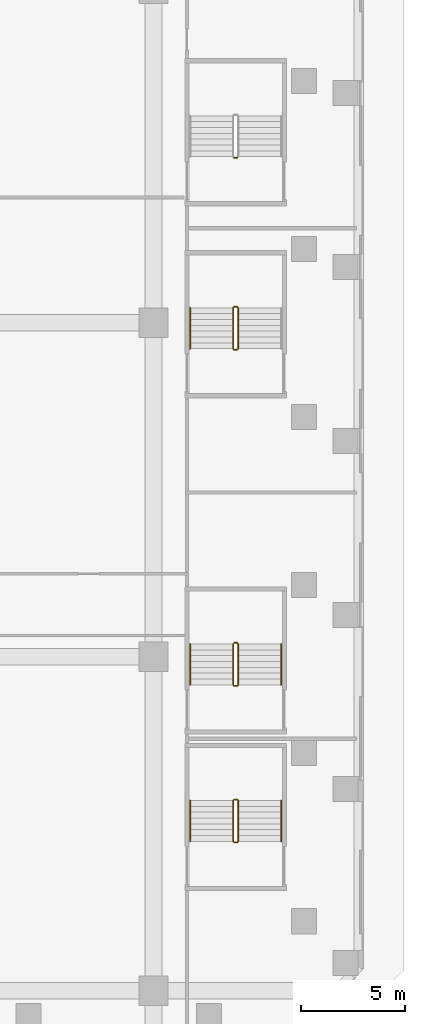
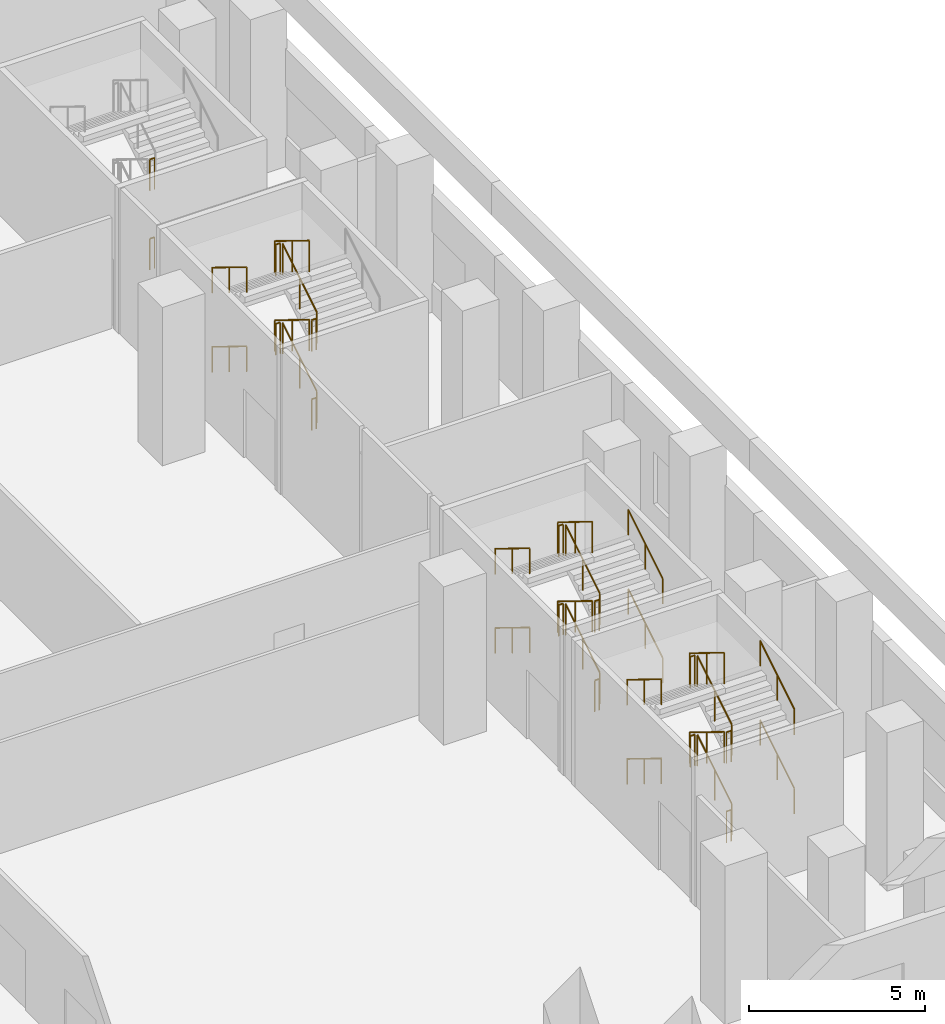
# One storey, part 21 of 22: 36 railings.
"""IFC4 building model written with IfcOpenShell, lengths in metres."""

import ifcopenshell
import ifcopenshell.guid

model = None  # the IFC model being written
_history = None  # IfcOwnerHistory: only IFC2X3 demands one
_inside = {}  # id of a spatial element -> (the spatial element, [elements in it])
_under = {}  # id of a project, library or spatial element -> (it, [spatial elements below it])
_declared = {}  # id of a project -> (the project, [libraries it declares])
_typed = {}  # id of a type object -> (the type object, [elements of that type])
_made_of = {}  # id of a material, layer set ... -> (it, [elements and type objects made of it])


def new_model(schema):
    """Start an empty IFC model of exactly this schema.

    Asked for "IFC4X3", IfcOpenShell would pick the latest addendum, in which some entities
    have other attributes; the version numbers below select the first issue.
    IFC2X3 requires an IfcOwnerHistory on every rooted entity: one is made here for all.
    """
    global model, _history
    if schema == "IFC4X3":
        model = ifcopenshell.file(schema_version=(4, 3, 0, 0))
    else:
        model = ifcopenshell.file(schema=schema)
    _inside.clear()
    _under.clear()
    _declared.clear()
    _typed.clear()
    _made_of.clear()
    _history = None
    if model.schema == "IFC2X3":
        org = make("IfcOrganization", Name="unknown")
        user = make(
            "IfcPersonAndOrganization",
            ThePerson=make("IfcPerson", FamilyName="unknown"),
            TheOrganization=org,
        )
        app = make(
            "IfcApplication",
            ApplicationDeveloper=org,
            Version="unknown",
            ApplicationFullName="unknown",
            ApplicationIdentifier="unknown",
        )
        _history = make(
            "IfcOwnerHistory",
            OwningUser=user,
            OwningApplication=app,
            ChangeAction="ADDED",
            CreationDate=0,
        )
    return model


def make(cls, **values):
    """One entity of the class cls with the attributes given. An attribute that is None is left unset."""
    return model.create_entity(
        cls, **{name: value for name, value in values.items() if value is not None}
    )


def rooted(cls, **values):
    """An entity with a GlobalId (a new one), such as an element, a storey or a relation."""
    return make(cls, GlobalId=ifcopenshell.guid.new(), OwnerHistory=_history, **values)


def si_unit(unit_type, name, prefix=None):
    """IfcSIUnit, for example si_unit("LENGTHUNIT", "METRE", prefix="MILLI")."""
    return make("IfcSIUnit", UnitType=unit_type, Prefix=prefix, Name=name)


def assignment(units):
    """IfcUnitAssignment: the units of a project."""
    return None if units is None else make("IfcUnitAssignment", Units=units)


def point(xyz):
    """IfcCartesianPoint."""
    return None if xyz is None else make("IfcCartesianPoint", Coordinates=xyz)


def direction(xyz):
    """IfcDirection."""
    return None if xyz is None else make("IfcDirection", DirectionRatios=xyz)


def frame(location, z_axis=None, x_axis=None):
    """IfcAxis2Placement3D, a coordinate frame: its origin and axes. An axis left out is left unset."""
    return make(
        "IfcAxis2Placement3D",
        Location=point(location),
        Axis=direction(z_axis),
        RefDirection=direction(x_axis),
    )


def frame_2d(location, x_axis=None):
    """IfcAxis2Placement2D, a coordinate frame in the plane: its origin and x axis."""
    return make(
        "IfcAxis2Placement2D", Location=point(location), RefDirection=direction(x_axis)
    )


def origin():
    """The frame at (0, 0, 0) with its axes left unset."""
    return frame((0.0, 0.0, 0.0))


def origin_2d():
    """The frame at (0, 0) in the plane with its x axis left unset."""
    return frame_2d((0.0, 0.0))


def place(relative_to, where):
    """IfcLocalPlacement: puts the frame where relative to a parent placement (None: the world)."""
    return make(
        "IfcLocalPlacement", PlacementRelTo=relative_to, RelativePlacement=where
    )


def context(
    kind, dimensions, precision=None, world=None, true_north=None, identifier=None
):
    """IfcGeometricRepresentationContext, for example the 3D "Model" context."""
    return make(
        "IfcGeometricRepresentationContext",
        ContextIdentifier=identifier,
        ContextType=kind,
        CoordinateSpaceDimension=dimensions,
        Precision=precision,
        WorldCoordinateSystem=world,
        TrueNorth=true_north,
    )


def subcontext(parent, identifier, kind, view, scale=None):
    """IfcGeometricRepresentationSubContext, for example "Body" below "Model"."""
    return make(
        "IfcGeometricRepresentationSubContext",
        ContextIdentifier=identifier,
        ContextType=kind,
        ParentContext=parent,
        TargetScale=scale,
        TargetView=view,
    )


def project(units=None, contexts=None):
    """IfcProject with its units and contexts."""
    return rooted(
        "IfcProject",
        Name="project",
        RepresentationContexts=contexts,
        UnitsInContext=assignment(units),
    )


def spatial(cls, under=None, at=None, **own):
    """A site, building, storey or space (cls), placed at a placement, below another one or the project."""
    s = rooted(cls, ObjectPlacement=at, **own)
    if under is not None:
        _under.setdefault(under.id(), (under, []))[1].append(s)
    return s


def profile(cls, at=None, kind="AREA", **sizes):
    """A parametric profile (cls). Its sizes go by their IFC names, for example OverallWidth=200.0."""
    return make(cls, ProfileType=kind, Position=at, **sizes)


def circle(**sizes):
    """IfcCircleProfileDef."""
    return profile("IfcCircleProfileDef", **sizes)


def extrude(swept, where, along, depth):
    """IfcExtrudedAreaSolid: the profile swept, set in the frame where, extruded along a direction by depth."""
    return make(
        "IfcExtrudedAreaSolid",
        SweptArea=swept,
        Position=where,
        ExtrudedDirection=direction(along),
        Depth=depth,
    )


def shape(context_of_items, identifier, shape_type, items):
    """IfcShapeRepresentation: the items that make up one representation, for example the "Body"."""
    return make(
        "IfcShapeRepresentation",
        ContextOfItems=context_of_items,
        RepresentationIdentifier=identifier,
        RepresentationType=shape_type,
        Items=items,
    )


def material(Name=None, Category=None):
    """IfcMaterial."""
    return make("IfcMaterial", Name=Name, Category=Category)


def made_of(thing, what):
    """Note that an element or type object is made of a material, layer set ...; save() writes the relation."""
    if what is not None:
        _made_of.setdefault(what.id(), (what, []))[1].append(thing)
    return thing


def type_object(cls, material=None, **own):
    """A type object (cls), such as IfcWallType, which elements share."""
    return made_of(rooted(cls, **own), material)


def element(
    cls,
    number,
    at=None,
    inside=None,
    cuts=None,
    type_object=None,
    material=None,
    context=None,
    identifier="Body",
    shape_type=None,
    held_by="IfcProductDefinitionShape",
    body=None,
    shapes=None,
    **own,
):
    """One element of the class cls, such as IfcWall. Its Tag is "e" and its number.

    at: its placement. inside: the storey or other place that contains it. cuts: it is an
    opening in that element (IfcRelVoidsElement). A single representation is given by context,
    identifier, shape_type and body (its items); several are given by shapes. held_by: the class
    of the entity that holds the representations. save() writes the other relations.
    """
    e = rooted(cls, Tag="e%d" % number, ObjectPlacement=at, **own)
    if body is not None:
        shapes = [shape(context, identifier, shape_type, body)]
    if shapes is not None:
        e.Representation = make(held_by, Representations=shapes)
    if inside is not None:
        _inside.setdefault(inside.id(), (inside, []))[1].append(e)
    if cuts is not None:
        rooted(
            "IfcRelVoidsElement", RelatingBuildingElement=cuts, RelatedOpeningElement=e
        )
    if type_object is not None:
        _typed.setdefault(type_object.id(), (type_object, []))[1].append(e)
    return made_of(e, material)


def aggregate(whole, parts):
    """IfcRelAggregates: a whole, such as a stair, and the parts it consists of."""
    return rooted("IfcRelAggregates", RelatingObject=whole, RelatedObjects=parts)


def save(model, path):
    """Write the relations noted so far, then the file.

    IfcRelAggregates (storeys below a building ...), IfcRelContainedInSpatialStructure (elements
    in a storey), IfcRelDefinesByType, IfcRelAssociatesMaterial and IfcRelDeclares: one each for
    every whole, place, type object, material and project.
    """
    for whole, parts in _under.values():
        aggregate(whole, parts)
    for where, things in _inside.values():
        rooted(
            "IfcRelContainedInSpatialStructure",
            RelatedElements=things,
            RelatingStructure=where,
        )
    for kind, things in _typed.values():
        rooted("IfcRelDefinesByType", RelatedObjects=things, RelatingType=kind)
    for what, things in _made_of.values():
        rooted("IfcRelAssociatesMaterial", RelatedObjects=things, RelatingMaterial=what)
    for by, libraries in _declared.values():
        rooted("IfcRelDeclares", RelatingContext=by, RelatedDefinitions=libraries)
    model.write(path)


model = new_model("IFC4")

# Units and contexts
model_context = context("Model", 3, precision=1e-05, world=origin(), true_north=direction((0.0, 1.0)))
body_context = subcontext(model_context, "Body", "Model", "MODEL_VIEW")
ifc_project = project(units=[si_unit("LENGTHUNIT", "METRE"), si_unit("AREAUNIT", "SQUARE_METRE"), si_unit("VOLUMEUNIT", "CUBIC_METRE"), si_unit("PLANEANGLEUNIT", "RADIAN"), si_unit("MASSUNIT", "GRAM", prefix="KILO")], contexts=[model_context])

# Site, building, storey
site_placement = place(None, origin())
site = spatial("IfcSite", under=ifc_project, at=site_placement, CompositionType="ELEMENT")
building_placement = place(site_placement, origin())
building = spatial("IfcBuilding", under=site, at=building_placement, Name="Calabash Gate Tower", CompositionType="ELEMENT")
storey_placement = place(building_placement, frame((0.0, 0.0, 34.5)))
storey = spatial("IfcBuildingStorey", under=building, at=storey_placement, Name="L04", CompositionType="ELEMENT", Elevation=34.5)

# Railings
ifc_material_1 = material(Name="Black powder-coated steel balusters", Category="steel")
railing_type_1 = type_object("IfcRailingType", Name="Stair guard RL1100", PredefinedType="GUARDRAIL", material=ifc_material_1)
railing_1_placement = place(storey_placement, frame((36.06005859375, -32.840087890625, 0.171875)))
element("IfcRailing", 1, at=railing_1_placement, inside=storey, type_object=railing_type_1, Name="L04 PS6 stair guard 1", PredefinedType="GUARDRAIL", context=body_context, shape_type="SweptSolid", body=[
    extrude(circle(Radius=0.02392578125, at=origin_2d()), frame((0.0, 0.0, 1.076171875), z_axis=(0.0, 0.851424364277, 0.524477408394), x_axis=(-1.0, 0.0, 0.0)), (0.0, 0.0, 1.0), 2.2939453125),
    extrude(circle(Radius=0.02099609375, at=origin_2d()), origin(), (0.0, 0.0, 1.0), 1.052001953125),
    extrude(circle(Radius=0.02099609375, at=origin_2d()), frame((0.0, 0.9765625, 0.6015625)), (0.0, 0.0, 1.0), 1.052001953125),
    extrude(circle(Radius=0.02099609375, at=origin_2d()), frame((0.0, 1.953125, 1.203125)), (0.0, 0.0, 1.0), 1.052001953125),
])
railing_2_placement = place(storey_placement, frame((36.010009765625, -30.8369140625, 1.375)))
element("IfcRailing", 2, at=railing_2_placement, inside=storey, type_object=railing_type_1, Name="L04 PS6 stair guard 2", PredefinedType="GUARDRAIL", context=body_context, shape_type="SweptSolid", body=[
    extrude(circle(Radius=0.02392578125, at=origin_2d()), frame((0.0, 0.0, 1.076171875), z_axis=(-1.0, 0.0, 0.0), x_axis=(0.0, -1.0, 0.0)), (0.0, 0.0, 1.0), 0.14990234375),
    extrude(circle(Radius=0.02099609375, at=origin_2d()), origin(), (0.0, 0.0, 1.0), 1.052001953125),
    extrude(circle(Radius=0.02099609375, at=origin_2d()), frame((-0.14990234375, 0.0, 0.0)), (0.0, 0.0, 1.0), 1.052001953125),
])
railing_3_placement = place(storey_placement, frame((35.81005859375, -30.886962890625, 1.546875)))
element("IfcRailing", 3, at=railing_3_placement, inside=storey, type_object=railing_type_1, Name="L04 PS6 stair guard 3", PredefinedType="GUARDRAIL", context=body_context, shape_type="SweptSolid", body=[
    extrude(circle(Radius=0.02392578125, at=origin_2d()), frame((0.0, 0.0, 1.076171875), z_axis=(0.0, -0.851424364277, 0.524477408394), x_axis=(1.0, 0.0, 0.0)), (0.0, 0.0, 1.0), 2.2939453125),
    extrude(circle(Radius=0.02099609375, at=origin_2d()), origin(), (0.0, 0.0, 1.0), 1.052001953125),
    extrude(circle(Radius=0.02099609375, at=origin_2d()), frame((0.0, -0.9765625, 0.6015625)), (0.0, 0.0, 1.0), 1.052001953125),
    extrude(circle(Radius=0.02099609375, at=origin_2d()), frame((0.0, -1.953125, 1.203125)), (0.0, 0.0, 1.0), 1.052001953125),
])
railing_4_placement = place(storey_placement, frame((36.010009765625, -32.889892578125, 2.75)))
element("IfcRailing", 4, at=railing_4_placement, inside=storey, type_object=railing_type_1, Name="L04 PS6 stair guard 4", PredefinedType="GUARDRAIL", context=body_context, shape_type="SweptSolid", body=[
    extrude(circle(Radius=0.02392578125, at=origin_2d()), frame((0.0, 0.0, 1.076171875), z_axis=(-1.0, 0.0, 0.0), x_axis=(0.0, -1.0, 0.0)), (0.0, 0.0, 1.0), 0.14990234375),
    extrude(circle(Radius=0.02099609375, at=origin_2d()), origin(), (0.0, 0.0, 1.0), 1.052001953125),
    extrude(circle(Radius=0.02099609375, at=origin_2d()), frame((-0.14990234375, 0.0, 0.0)), (0.0, 0.0, 1.0), 1.052001953125),
])
railing_5_placement = place(storey_placement, frame((36.06005859375, -32.840087890625, 2.921875)))
element("IfcRailing", 5, at=railing_5_placement, inside=storey, type_object=railing_type_1, Name="L04 PS6 stair guard 5", PredefinedType="GUARDRAIL", context=body_context, shape_type="SweptSolid", body=[
    extrude(circle(Radius=0.02392578125, at=origin_2d()), frame((0.0, 0.0, 1.076171875), z_axis=(0.0, 0.851424364277, 0.524477408394), x_axis=(-1.0, 0.0, 0.0)), (0.0, 0.0, 1.0), 2.2939453125),
    extrude(circle(Radius=0.02099609375, at=origin_2d()), origin(), (0.0, 0.0, 1.0), 1.052001953125),
    extrude(circle(Radius=0.02099609375, at=origin_2d()), frame((0.0, 0.9765625, 0.6015625)), (0.0, 0.0, 1.0), 1.052001953125),
    extrude(circle(Radius=0.02099609375, at=origin_2d()), frame((0.0, 1.953125, 1.203125)), (0.0, 0.0, 1.0), 1.052001953125),
])
railing_6_placement = place(storey_placement, frame((36.010009765625, -30.8369140625, 4.125)))
element("IfcRailing", 6, at=railing_6_placement, inside=storey, type_object=railing_type_1, Name="L04 PS6 stair guard 6", PredefinedType="GUARDRAIL", context=body_context, shape_type="SweptSolid", body=[
    extrude(circle(Radius=0.02392578125, at=origin_2d()), frame((0.0, 0.0, 1.076171875), z_axis=(-1.0, 0.0, 0.0), x_axis=(0.0, -1.0, 0.0)), (0.0, 0.0, 1.0), 0.14990234375),
    extrude(circle(Radius=0.02099609375, at=origin_2d()), origin(), (0.0, 0.0, 1.0), 1.052001953125),
    extrude(circle(Radius=0.02099609375, at=origin_2d()), frame((-0.14990234375, 0.0, 0.0)), (0.0, 0.0, 1.0), 1.052001953125),
])
railing_7_placement = place(storey_placement, frame((35.81005859375, -30.886962890625, 4.296875)))
element("IfcRailing", 7, at=railing_7_placement, inside=storey, type_object=railing_type_1, Name="L04 PS6 stair guard 7", PredefinedType="GUARDRAIL", context=body_context, shape_type="SweptSolid", body=[
    extrude(circle(Radius=0.02392578125, at=origin_2d()), frame((0.0, 0.0, 1.076171875), z_axis=(0.0, -0.851424364277, 0.524477408394), x_axis=(1.0, 0.0, 0.0)), (0.0, 0.0, 1.0), 2.2939453125),
    extrude(circle(Radius=0.02099609375, at=origin_2d()), origin(), (0.0, 0.0, 1.0), 1.052001953125),
    extrude(circle(Radius=0.02099609375, at=origin_2d()), frame((0.0, -0.9765625, 0.6015625)), (0.0, 0.0, 1.0), 1.052001953125),
    extrude(circle(Radius=0.02099609375, at=origin_2d()), frame((0.0, -1.953125, 1.203125)), (0.0, 0.0, 1.0), 1.052001953125),
])
railing_8_placement = place(storey_placement, frame((36.010009765625, -32.889892578125, 0.0)))
element("IfcRailing", 8, at=railing_8_placement, inside=storey, type_object=railing_type_1, Name="L04 PS6 stair guard 8", PredefinedType="GUARDRAIL", context=body_context, shape_type="SweptSolid", body=[
    extrude(circle(Radius=0.02392578125, at=origin_2d()), frame((0.0, 0.0, 1.076171875), z_axis=(-1.0, 0.0, 0.0), x_axis=(0.0, -1.0, 0.0)), (0.0, 0.0, 1.0), 0.14990234375),
    extrude(circle(Radius=0.02099609375, at=origin_2d()), origin(), (0.0, 0.0, 1.0), 1.052001953125),
    extrude(circle(Radius=0.02099609375, at=origin_2d()), frame((-0.14990234375, 0.0, 0.0)), (0.0, 0.0, 1.0), 1.052001953125),
])
railing_9_placement = place(storey_placement, frame((36.06005859375, -25.340087890625, 0.171875)))
element("IfcRailing", 9, at=railing_9_placement, inside=storey, type_object=railing_type_1, Name="L04 PS7 stair guard 1", PredefinedType="GUARDRAIL", context=body_context, shape_type="SweptSolid", body=[
    extrude(circle(Radius=0.02392578125, at=origin_2d()), frame((0.0, 0.0, 1.076171875), z_axis=(0.0, 0.851424364277, 0.524477408394), x_axis=(-1.0, 0.0, 0.0)), (0.0, 0.0, 1.0), 2.2939453125),
    extrude(circle(Radius=0.02099609375, at=origin_2d()), origin(), (0.0, 0.0, 1.0), 1.052001953125),
    extrude(circle(Radius=0.02099609375, at=origin_2d()), frame((0.0, 0.9765625, 0.6015625)), (0.0, 0.0, 1.0), 1.052001953125),
    extrude(circle(Radius=0.02099609375, at=origin_2d()), frame((0.0, 1.953125, 1.203125)), (0.0, 0.0, 1.0), 1.052001953125),
])
railing_10_placement = place(storey_placement, frame((36.010009765625, -23.3369140625, 1.375)))
element("IfcRailing", 10, at=railing_10_placement, inside=storey, type_object=railing_type_1, Name="L04 PS7 stair guard 2", PredefinedType="GUARDRAIL", context=body_context, shape_type="SweptSolid", body=[
    extrude(circle(Radius=0.02392578125, at=origin_2d()), frame((0.0, 0.0, 1.076171875), z_axis=(-1.0, 0.0, 0.0), x_axis=(0.0, -1.0, 0.0)), (0.0, 0.0, 1.0), 0.14990234375),
    extrude(circle(Radius=0.02099609375, at=origin_2d()), origin(), (0.0, 0.0, 1.0), 1.052001953125),
    extrude(circle(Radius=0.02099609375, at=origin_2d()), frame((-0.14990234375, 0.0, 0.0)), (0.0, 0.0, 1.0), 1.052001953125),
])
railing_11_placement = place(storey_placement, frame((35.81005859375, -23.386962890625, 1.546875)))
element("IfcRailing", 11, at=railing_11_placement, inside=storey, type_object=railing_type_1, Name="L04 PS7 stair guard 3", PredefinedType="GUARDRAIL", context=body_context, shape_type="SweptSolid", body=[
    extrude(circle(Radius=0.02392578125, at=origin_2d()), frame((0.0, 0.0, 1.076171875), z_axis=(0.0, -0.851424364277, 0.524477408394), x_axis=(1.0, 0.0, 0.0)), (0.0, 0.0, 1.0), 2.2939453125),
    extrude(circle(Radius=0.02099609375, at=origin_2d()), origin(), (0.0, 0.0, 1.0), 1.052001953125),
    extrude(circle(Radius=0.02099609375, at=origin_2d()), frame((0.0, -0.9765625, 0.6015625)), (0.0, 0.0, 1.0), 1.052001953125),
    extrude(circle(Radius=0.02099609375, at=origin_2d()), frame((0.0, -1.953125, 1.203125)), (0.0, 0.0, 1.0), 1.052001953125),
])
railing_12_placement = place(storey_placement, frame((36.010009765625, -25.389892578125, 2.75)))
element("IfcRailing", 12, at=railing_12_placement, inside=storey, type_object=railing_type_1, Name="L04 PS7 stair guard 4", PredefinedType="GUARDRAIL", context=body_context, shape_type="SweptSolid", body=[
    extrude(circle(Radius=0.02392578125, at=origin_2d()), frame((0.0, 0.0, 1.076171875), z_axis=(-1.0, 0.0, 0.0), x_axis=(0.0, -1.0, 0.0)), (0.0, 0.0, 1.0), 0.14990234375),
    extrude(circle(Radius=0.02099609375, at=origin_2d()), origin(), (0.0, 0.0, 1.0), 1.052001953125),
    extrude(circle(Radius=0.02099609375, at=origin_2d()), frame((-0.14990234375, 0.0, 0.0)), (0.0, 0.0, 1.0), 1.052001953125),
])
railing_13_placement = place(storey_placement, frame((36.06005859375, -25.340087890625, 2.921875)))
element("IfcRailing", 13, at=railing_13_placement, inside=storey, type_object=railing_type_1, Name="L04 PS7 stair guard 5", PredefinedType="GUARDRAIL", context=body_context, shape_type="SweptSolid", body=[
    extrude(circle(Radius=0.02392578125, at=origin_2d()), frame((0.0, 0.0, 1.076171875), z_axis=(0.0, 0.851424364277, 0.524477408394), x_axis=(-1.0, 0.0, 0.0)), (0.0, 0.0, 1.0), 2.2939453125),
    extrude(circle(Radius=0.02099609375, at=origin_2d()), origin(), (0.0, 0.0, 1.0), 1.052001953125),
    extrude(circle(Radius=0.02099609375, at=origin_2d()), frame((0.0, 0.9765625, 0.6015625)), (0.0, 0.0, 1.0), 1.052001953125),
    extrude(circle(Radius=0.02099609375, at=origin_2d()), frame((0.0, 1.953125, 1.203125)), (0.0, 0.0, 1.0), 1.052001953125),
])
railing_14_placement = place(storey_placement, frame((36.010009765625, -23.3369140625, 4.125)))
element("IfcRailing", 14, at=railing_14_placement, inside=storey, type_object=railing_type_1, Name="L04 PS7 stair guard 6", PredefinedType="GUARDRAIL", context=body_context, shape_type="SweptSolid", body=[
    extrude(circle(Radius=0.02392578125, at=origin_2d()), frame((0.0, 0.0, 1.076171875), z_axis=(-1.0, 0.0, 0.0), x_axis=(0.0, -1.0, 0.0)), (0.0, 0.0, 1.0), 0.14990234375),
    extrude(circle(Radius=0.02099609375, at=origin_2d()), origin(), (0.0, 0.0, 1.0), 1.052001953125),
    extrude(circle(Radius=0.02099609375, at=origin_2d()), frame((-0.14990234375, 0.0, 0.0)), (0.0, 0.0, 1.0), 1.052001953125),
])
railing_15_placement = place(storey_placement, frame((35.81005859375, -23.386962890625, 4.296875)))
element("IfcRailing", 15, at=railing_15_placement, inside=storey, type_object=railing_type_1, Name="L04 PS7 stair guard 7", PredefinedType="GUARDRAIL", context=body_context, shape_type="SweptSolid", body=[
    extrude(circle(Radius=0.02392578125, at=origin_2d()), frame((0.0, 0.0, 1.076171875), z_axis=(0.0, -0.851424364277, 0.524477408394), x_axis=(1.0, 0.0, 0.0)), (0.0, 0.0, 1.0), 2.2939453125),
    extrude(circle(Radius=0.02099609375, at=origin_2d()), origin(), (0.0, 0.0, 1.0), 1.052001953125),
    extrude(circle(Radius=0.02099609375, at=origin_2d()), frame((0.0, -0.9765625, 0.6015625)), (0.0, 0.0, 1.0), 1.052001953125),
    extrude(circle(Radius=0.02099609375, at=origin_2d()), frame((0.0, -1.953125, 1.203125)), (0.0, 0.0, 1.0), 1.052001953125),
])
railing_16_placement = place(storey_placement, frame((36.010009765625, -25.389892578125, 0.0)))
element("IfcRailing", 16, at=railing_16_placement, inside=storey, type_object=railing_type_1, Name="L04 PS7 stair guard 8", PredefinedType="GUARDRAIL", context=body_context, shape_type="SweptSolid", body=[
    extrude(circle(Radius=0.02392578125, at=origin_2d()), frame((0.0, 0.0, 1.076171875), z_axis=(-1.0, 0.0, 0.0), x_axis=(0.0, -1.0, 0.0)), (0.0, 0.0, 1.0), 0.14990234375),
    extrude(circle(Radius=0.02099609375, at=origin_2d()), origin(), (0.0, 0.0, 1.0), 1.052001953125),
    extrude(circle(Radius=0.02099609375, at=origin_2d()), frame((-0.14990234375, 0.0, 0.0)), (0.0, 0.0, 1.0), 1.052001953125),
])
railing_17_placement = place(storey_placement, frame((36.06005859375, -9.239990234375, 0.171875)))
element("IfcRailing", 17, at=railing_17_placement, inside=storey, type_object=railing_type_1, Name="L04 PS8 stair guard 1", PredefinedType="GUARDRAIL", context=body_context, shape_type="SweptSolid", body=[
    extrude(circle(Radius=0.02392578125, at=origin_2d()), frame((0.0, 0.0, 1.076171875), z_axis=(0.0, 0.851395084437, 0.52452493763), x_axis=(-1.0, 0.0, 0.0)), (0.0, 0.0, 1.0), 2.293701171875),
    extrude(circle(Radius=0.02099609375, at=origin_2d()), origin(), (0.0, 0.0, 1.0), 1.052001953125),
    extrude(circle(Radius=0.02099609375, at=origin_2d()), frame((0.0, 0.9765625, 0.6015625)), (0.0, 0.0, 1.0), 1.052001953125),
    extrude(circle(Radius=0.02099609375, at=origin_2d()), frame((0.0, 1.952880859375, 1.203125)), (0.0, 0.0, 1.0), 1.052001953125),
])
railing_18_placement = place(storey_placement, frame((36.010009765625, -7.237060546875, 1.375)))
element("IfcRailing", 18, at=railing_18_placement, inside=storey, type_object=railing_type_1, Name="L04 PS8 stair guard 2", PredefinedType="GUARDRAIL", context=body_context, shape_type="SweptSolid", body=[
    extrude(circle(Radius=0.02392578125, at=origin_2d()), frame((0.0, 0.0, 1.076171875), z_axis=(-1.0, 0.0, 0.0), x_axis=(0.0, -1.0, 0.0)), (0.0, 0.0, 1.0), 0.14990234375),
    extrude(circle(Radius=0.02099609375, at=origin_2d()), origin(), (0.0, 0.0, 1.0), 1.052001953125),
    extrude(circle(Radius=0.02099609375, at=origin_2d()), frame((-0.14990234375, 0.0, 0.0)), (0.0, 0.0, 1.0), 1.052001953125),
])
railing_19_placement = place(storey_placement, frame((35.81005859375, -7.287109375, 1.546875)))
element("IfcRailing", 19, at=railing_19_placement, inside=storey, type_object=railing_type_1, Name="L04 PS8 stair guard 3", PredefinedType="GUARDRAIL", context=body_context, shape_type="SweptSolid", body=[
    extrude(circle(Radius=0.02392578125, at=origin_2d()), frame((0.0, 0.0, 1.076171875), z_axis=(0.0, -0.851395084437, 0.52452493763), x_axis=(1.0, 0.0, 0.0)), (0.0, 0.0, 1.0), 2.293701171875),
    extrude(circle(Radius=0.02099609375, at=origin_2d()), origin(), (0.0, 0.0, 1.0), 1.052001953125),
    extrude(circle(Radius=0.02099609375, at=origin_2d()), frame((0.0, -0.9765625, 0.6015625)), (0.0, 0.0, 1.0), 1.052001953125),
    extrude(circle(Radius=0.02099609375, at=origin_2d()), frame((0.0, -1.952880859375, 1.203125)), (0.0, 0.0, 1.0), 1.052001953125),
])
railing_20_placement = place(storey_placement, frame((36.010009765625, -9.2900390625, 2.75)))
element("IfcRailing", 20, at=railing_20_placement, inside=storey, type_object=railing_type_1, Name="L04 PS8 stair guard 4", PredefinedType="GUARDRAIL", context=body_context, shape_type="SweptSolid", body=[
    extrude(circle(Radius=0.02392578125, at=origin_2d()), frame((0.0, 0.0, 1.076171875), z_axis=(-1.0, 0.0, 0.0), x_axis=(0.0, -1.0, 0.0)), (0.0, 0.0, 1.0), 0.14990234375),
    extrude(circle(Radius=0.02099609375, at=origin_2d()), origin(), (0.0, 0.0, 1.0), 1.052001953125),
    extrude(circle(Radius=0.02099609375, at=origin_2d()), frame((-0.14990234375, 0.0, 0.0)), (0.0, 0.0, 1.0), 1.052001953125),
])
railing_21_placement = place(storey_placement, frame((36.06005859375, -9.239990234375, 2.921875)))
element("IfcRailing", 21, at=railing_21_placement, inside=storey, type_object=railing_type_1, Name="L04 PS8 stair guard 5", PredefinedType="GUARDRAIL", context=body_context, shape_type="SweptSolid", body=[
    extrude(circle(Radius=0.02392578125, at=origin_2d()), frame((0.0, 0.0, 1.076171875), z_axis=(0.0, 0.851395084437, 0.52452493763), x_axis=(-1.0, 0.0, 0.0)), (0.0, 0.0, 1.0), 2.293701171875),
    extrude(circle(Radius=0.02099609375, at=origin_2d()), origin(), (0.0, 0.0, 1.0), 1.052001953125),
    extrude(circle(Radius=0.02099609375, at=origin_2d()), frame((0.0, 0.9765625, 0.6015625)), (0.0, 0.0, 1.0), 1.052001953125),
    extrude(circle(Radius=0.02099609375, at=origin_2d()), frame((0.0, 1.952880859375, 1.203125)), (0.0, 0.0, 1.0), 1.052001953125),
])
railing_22_placement = place(storey_placement, frame((36.010009765625, -7.237060546875, 4.125)))
element("IfcRailing", 22, at=railing_22_placement, inside=storey, type_object=railing_type_1, Name="L04 PS8 stair guard 6", PredefinedType="GUARDRAIL", context=body_context, shape_type="SweptSolid", body=[
    extrude(circle(Radius=0.02392578125, at=origin_2d()), frame((0.0, 0.0, 1.076171875), z_axis=(-1.0, 0.0, 0.0), x_axis=(0.0, -1.0, 0.0)), (0.0, 0.0, 1.0), 0.14990234375),
    extrude(circle(Radius=0.02099609375, at=origin_2d()), origin(), (0.0, 0.0, 1.0), 1.052001953125),
    extrude(circle(Radius=0.02099609375, at=origin_2d()), frame((-0.14990234375, 0.0, 0.0)), (0.0, 0.0, 1.0), 1.052001953125),
])
railing_23_placement = place(storey_placement, frame((35.81005859375, -7.287109375, 4.296875)))
element("IfcRailing", 23, at=railing_23_placement, inside=storey, type_object=railing_type_1, Name="L04 PS8 stair guard 7", PredefinedType="GUARDRAIL", context=body_context, shape_type="SweptSolid", body=[
    extrude(circle(Radius=0.02392578125, at=origin_2d()), frame((0.0, 0.0, 1.076171875), z_axis=(0.0, -0.851395084437, 0.52452493763), x_axis=(1.0, 0.0, 0.0)), (0.0, 0.0, 1.0), 2.293701171875),
    extrude(circle(Radius=0.02099609375, at=origin_2d()), origin(), (0.0, 0.0, 1.0), 1.052001953125),
    extrude(circle(Radius=0.02099609375, at=origin_2d()), frame((0.0, -0.9765625, 0.6015625)), (0.0, 0.0, 1.0), 1.052001953125),
    extrude(circle(Radius=0.02099609375, at=origin_2d()), frame((0.0, -1.952880859375, 1.203125)), (0.0, 0.0, 1.0), 1.052001953125),
])
for number, where, name in (
    (24, (36.010009765625, -9.2900390625, 0.0), "L04 PS8 stair guard 8"),
    (25, (36.010009765625, -0.090087890625, 2.75), "L04 PS9 stair guard 4"),
    (26, (36.010009765625, -0.090087890625, 0.0), "L04 PS9 stair guard 8"),
):
    element("IfcRailing", number, at=place(storey_placement, frame(where)), inside=storey, type_object=railing_type_1, Name=name, PredefinedType="GUARDRAIL", context=body_context, shape_type="SweptSolid", body=[
        extrude(circle(Radius=0.02392578125, at=origin_2d()), frame((0.0, 0.0, 1.076171875), z_axis=(-1.0, 0.0, 0.0), x_axis=(0.0, -1.0, 0.0)), (0.0, 0.0, 1.0), 0.14990234375),
        extrude(circle(Radius=0.02099609375, at=origin_2d()), origin(), (0.0, 0.0, 1.0), 1.052001953125),
        extrude(circle(Radius=0.02099609375, at=origin_2d()), frame((-0.14990234375, 0.0, 0.0)), (0.0, 0.0, 1.0), 1.052001953125),
    ])
ifc_material_2 = material(Name="Black powder-coated steel tube 48 mm", Category="steel")
railing_type_2 = type_object("IfcRailingType", Name="Stair handrail RL900", PredefinedType="HANDRAIL", material=ifc_material_2)
railing_24_placement = place(storey_placement, frame((38.1201171875, -32.840087890625, 0.171875)))
element("IfcRailing", 27, at=railing_24_placement, inside=storey, type_object=railing_type_2, Name="L04 PS6 stair handrail 1", PredefinedType="HANDRAIL", context=body_context, shape_type="SweptSolid", body=[
    extrude(circle(Radius=0.02392578125, at=origin_2d()), frame((0.0, 0.0, 0.8759765625), z_axis=(0.0, 0.851424364277, 0.524477408394), x_axis=(-1.0, 0.0, 0.0)), (0.0, 0.0, 1.0), 2.2939453125),
    extrude(circle(Radius=0.02099609375, at=origin_2d()), origin(), (0.0, 0.0, 1.0), 0.851806640625),
    extrude(circle(Radius=0.02099609375, at=origin_2d()), frame((0.0, 0.9765625, 0.6015625)), (0.0, 0.0, 1.0), 0.851806640625),
    extrude(circle(Radius=0.02099609375, at=origin_2d()), frame((0.0, 1.953125, 1.203125)), (0.0, 0.0, 1.0), 0.851806640625),
])
railing_25_placement = place(storey_placement, frame((33.75, -30.886962890625, 1.546875)))
element("IfcRailing", 28, at=railing_25_placement, inside=storey, type_object=railing_type_2, Name="L04 PS6 stair handrail 2", PredefinedType="HANDRAIL", context=body_context, shape_type="SweptSolid", body=[
    extrude(circle(Radius=0.02392578125, at=origin_2d()), frame((0.0, 0.0, 0.8759765625), z_axis=(0.0, -0.851424364277, 0.524477408394), x_axis=(1.0, 0.0, 0.0)), (0.0, 0.0, 1.0), 2.2939453125),
    extrude(circle(Radius=0.02099609375, at=origin_2d()), origin(), (0.0, 0.0, 1.0), 0.851806640625),
    extrude(circle(Radius=0.02099609375, at=origin_2d()), frame((0.0, -0.9765625, 0.6015625)), (0.0, 0.0, 1.0), 0.851806640625),
    extrude(circle(Radius=0.02099609375, at=origin_2d()), frame((0.0, -1.953125, 1.203125)), (0.0, 0.0, 1.0), 0.851806640625),
])
railing_26_placement = place(storey_placement, frame((38.1201171875, -32.840087890625, 2.921875)))
element("IfcRailing", 29, at=railing_26_placement, inside=storey, type_object=railing_type_2, Name="L04 PS6 stair handrail 3", PredefinedType="HANDRAIL", context=body_context, shape_type="SweptSolid", body=[
    extrude(circle(Radius=0.02392578125, at=origin_2d()), frame((0.0, 0.0, 0.8759765625), z_axis=(0.0, 0.851424364277, 0.524477408394), x_axis=(-1.0, 0.0, 0.0)), (0.0, 0.0, 1.0), 2.2939453125),
    extrude(circle(Radius=0.02099609375, at=origin_2d()), origin(), (0.0, 0.0, 1.0), 0.851806640625),
    extrude(circle(Radius=0.02099609375, at=origin_2d()), frame((0.0, 0.9765625, 0.6015625)), (0.0, 0.0, 1.0), 0.851806640625),
    extrude(circle(Radius=0.02099609375, at=origin_2d()), frame((0.0, 1.953125, 1.203125)), (0.0, 0.0, 1.0), 0.851806640625),
])
railing_27_placement = place(storey_placement, frame((33.75, -30.886962890625, 4.296875)))
element("IfcRailing", 30, at=railing_27_placement, inside=storey, type_object=railing_type_2, Name="L04 PS6 stair handrail 4", PredefinedType="HANDRAIL", context=body_context, shape_type="SweptSolid", body=[
    extrude(circle(Radius=0.02392578125, at=origin_2d()), frame((0.0, 0.0, 0.8759765625), z_axis=(0.0, -0.851424364277, 0.524477408394), x_axis=(1.0, 0.0, 0.0)), (0.0, 0.0, 1.0), 2.2939453125),
    extrude(circle(Radius=0.02099609375, at=origin_2d()), origin(), (0.0, 0.0, 1.0), 0.851806640625),
    extrude(circle(Radius=0.02099609375, at=origin_2d()), frame((0.0, -0.9765625, 0.6015625)), (0.0, 0.0, 1.0), 0.851806640625),
    extrude(circle(Radius=0.02099609375, at=origin_2d()), frame((0.0, -1.953125, 1.203125)), (0.0, 0.0, 1.0), 0.851806640625),
])
railing_28_placement = place(storey_placement, frame((38.1201171875, -25.340087890625, 0.171875)))
element("IfcRailing", 31, at=railing_28_placement, inside=storey, type_object=railing_type_2, Name="L04 PS7 stair handrail 1", PredefinedType="HANDRAIL", context=body_context, shape_type="SweptSolid", body=[
    extrude(circle(Radius=0.02392578125, at=origin_2d()), frame((0.0, 0.0, 0.8759765625), z_axis=(0.0, 0.851424364277, 0.524477408394), x_axis=(-1.0, 0.0, 0.0)), (0.0, 0.0, 1.0), 2.2939453125),
    extrude(circle(Radius=0.02099609375, at=origin_2d()), origin(), (0.0, 0.0, 1.0), 0.851806640625),
    extrude(circle(Radius=0.02099609375, at=origin_2d()), frame((0.0, 0.9765625, 0.6015625)), (0.0, 0.0, 1.0), 0.851806640625),
    extrude(circle(Radius=0.02099609375, at=origin_2d()), frame((0.0, 1.953125, 1.203125)), (0.0, 0.0, 1.0), 0.851806640625),
])
railing_29_placement = place(storey_placement, frame((33.75, -23.386962890625, 1.546875)))
element("IfcRailing", 32, at=railing_29_placement, inside=storey, type_object=railing_type_2, Name="L04 PS7 stair handrail 2", PredefinedType="HANDRAIL", context=body_context, shape_type="SweptSolid", body=[
    extrude(circle(Radius=0.02392578125, at=origin_2d()), frame((0.0, 0.0, 0.8759765625), z_axis=(0.0, -0.851424364277, 0.524477408394), x_axis=(1.0, 0.0, 0.0)), (0.0, 0.0, 1.0), 2.2939453125),
    extrude(circle(Radius=0.02099609375, at=origin_2d()), origin(), (0.0, 0.0, 1.0), 0.851806640625),
    extrude(circle(Radius=0.02099609375, at=origin_2d()), frame((0.0, -0.9765625, 0.6015625)), (0.0, 0.0, 1.0), 0.851806640625),
    extrude(circle(Radius=0.02099609375, at=origin_2d()), frame((0.0, -1.953125, 1.203125)), (0.0, 0.0, 1.0), 0.851806640625),
])
railing_30_placement = place(storey_placement, frame((38.1201171875, -25.340087890625, 2.921875)))
element("IfcRailing", 33, at=railing_30_placement, inside=storey, type_object=railing_type_2, Name="L04 PS7 stair handrail 3", PredefinedType="HANDRAIL", context=body_context, shape_type="SweptSolid", body=[
    extrude(circle(Radius=0.02392578125, at=origin_2d()), frame((0.0, 0.0, 0.8759765625), z_axis=(0.0, 0.851424364277, 0.524477408394), x_axis=(-1.0, 0.0, 0.0)), (0.0, 0.0, 1.0), 2.2939453125),
    extrude(circle(Radius=0.02099609375, at=origin_2d()), origin(), (0.0, 0.0, 1.0), 0.851806640625),
    extrude(circle(Radius=0.02099609375, at=origin_2d()), frame((0.0, 0.9765625, 0.6015625)), (0.0, 0.0, 1.0), 0.851806640625),
    extrude(circle(Radius=0.02099609375, at=origin_2d()), frame((0.0, 1.953125, 1.203125)), (0.0, 0.0, 1.0), 0.851806640625),
])
railing_31_placement = place(storey_placement, frame((33.75, -23.386962890625, 4.296875)))
element("IfcRailing", 34, at=railing_31_placement, inside=storey, type_object=railing_type_2, Name="L04 PS7 stair handrail 4", PredefinedType="HANDRAIL", context=body_context, shape_type="SweptSolid", body=[
    extrude(circle(Radius=0.02392578125, at=origin_2d()), frame((0.0, 0.0, 0.8759765625), z_axis=(0.0, -0.851424364277, 0.524477408394), x_axis=(1.0, 0.0, 0.0)), (0.0, 0.0, 1.0), 2.2939453125),
    extrude(circle(Radius=0.02099609375, at=origin_2d()), origin(), (0.0, 0.0, 1.0), 0.851806640625),
    extrude(circle(Radius=0.02099609375, at=origin_2d()), frame((0.0, -0.9765625, 0.6015625)), (0.0, 0.0, 1.0), 0.851806640625),
    extrude(circle(Radius=0.02099609375, at=origin_2d()), frame((0.0, -1.953125, 1.203125)), (0.0, 0.0, 1.0), 0.851806640625),
])
for number, where, name in (
    (35, (33.75, -7.287109375, 1.546875), "L04 PS8 stair handrail 2"),
    (36, (33.75, -7.287109375, 4.296875), "L04 PS8 stair handrail 4"),
):
    element("IfcRailing", number, at=place(storey_placement, frame(where)), inside=storey, type_object=railing_type_2, Name=name, PredefinedType="HANDRAIL", context=body_context, shape_type="SweptSolid", body=[
        extrude(circle(Radius=0.02392578125, at=origin_2d()), frame((0.0, 0.0, 0.8759765625), z_axis=(0.0, -0.851395084437, 0.52452493763), x_axis=(1.0, 0.0, 0.0)), (0.0, 0.0, 1.0), 2.293701171875),
        extrude(circle(Radius=0.02099609375, at=origin_2d()), origin(), (0.0, 0.0, 1.0), 0.851806640625),
        extrude(circle(Radius=0.02099609375, at=origin_2d()), frame((0.0, -0.9765625, 0.6015625)), (0.0, 0.0, 1.0), 0.851806640625),
        extrude(circle(Radius=0.02099609375, at=origin_2d()), frame((0.0, -1.952880859375, 1.203125)), (0.0, 0.0, 1.0), 0.851806640625),
    ])

save(model, "model.ifc")
